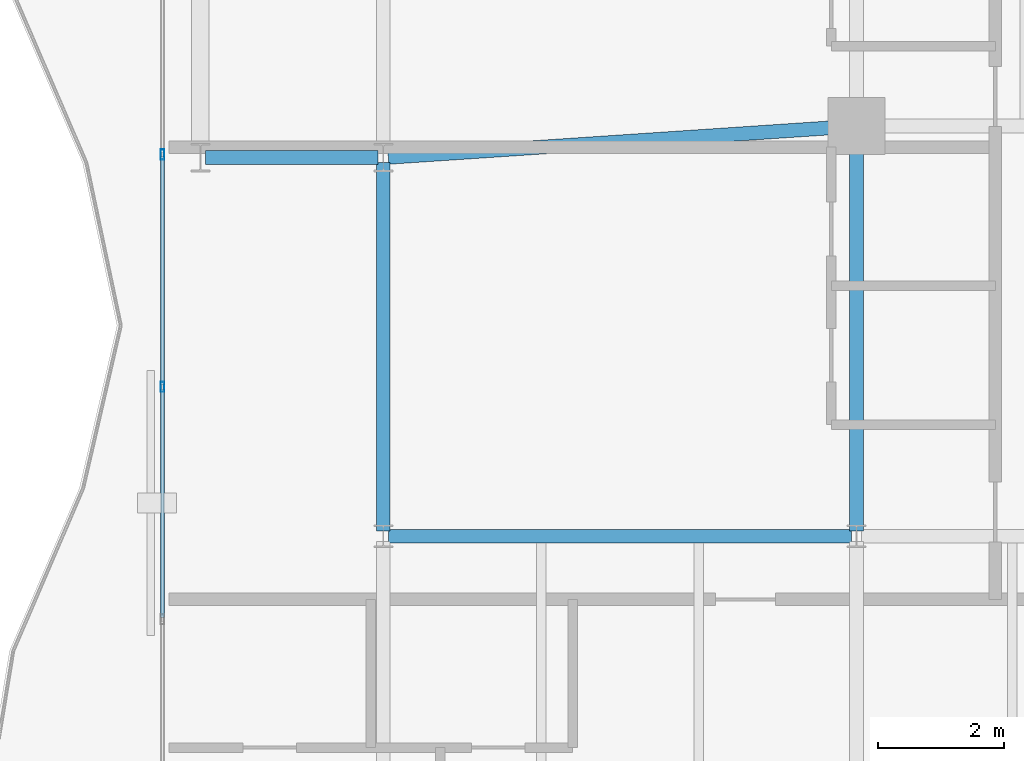
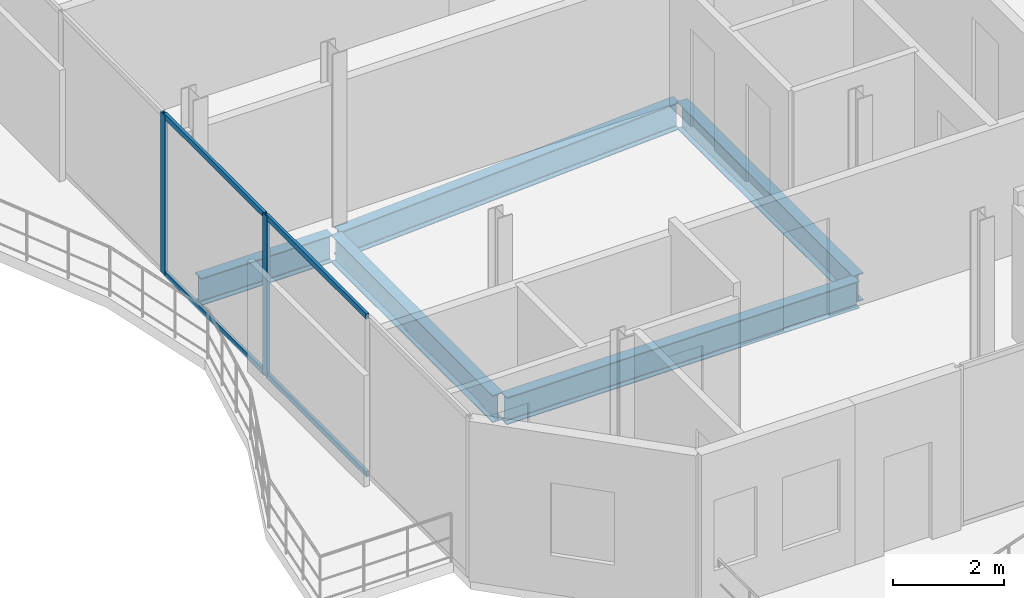
# One storey, part 6 of 22: 6 members, 5 beams, 1 element without a shape of its own.
"""IFC4 building model written with IfcOpenShell, lengths in metres."""

import ifcopenshell
import ifcopenshell.guid

model = None  # the IFC model being written
_history = None  # IfcOwnerHistory: only IFC2X3 demands one
_inside = {}  # id of a spatial element -> (the spatial element, [elements in it])
_under = {}  # id of a project, library or spatial element -> (it, [spatial elements below it])
_declared = {}  # id of a project -> (the project, [libraries it declares])
_typed = {}  # id of a type object -> (the type object, [elements of that type])
_made_of = {}  # id of a material, layer set ... -> (it, [elements and type objects made of it])


def new_model(schema):
    """Start an empty IFC model of exactly this schema.

    Asked for "IFC4X3", IfcOpenShell would pick the latest addendum, in which some entities
    have other attributes; the version numbers below select the first issue.
    IFC2X3 requires an IfcOwnerHistory on every rooted entity: one is made here for all.
    """
    global model, _history
    if schema == "IFC4X3":
        model = ifcopenshell.file(schema_version=(4, 3, 0, 0))
    else:
        model = ifcopenshell.file(schema=schema)
    _inside.clear()
    _under.clear()
    _declared.clear()
    _typed.clear()
    _made_of.clear()
    _history = None
    if model.schema == "IFC2X3":
        org = make("IfcOrganization", Name="unknown")
        user = make(
            "IfcPersonAndOrganization",
            ThePerson=make("IfcPerson", FamilyName="unknown"),
            TheOrganization=org,
        )
        app = make(
            "IfcApplication",
            ApplicationDeveloper=org,
            Version="unknown",
            ApplicationFullName="unknown",
            ApplicationIdentifier="unknown",
        )
        _history = make(
            "IfcOwnerHistory",
            OwningUser=user,
            OwningApplication=app,
            ChangeAction="ADDED",
            CreationDate=0,
        )
    return model


def make(cls, **values):
    """One entity of the class cls with the attributes given. An attribute that is None is left unset."""
    return model.create_entity(
        cls, **{name: value for name, value in values.items() if value is not None}
    )


def rooted(cls, **values):
    """An entity with a GlobalId (a new one), such as an element, a storey or a relation."""
    return make(cls, GlobalId=ifcopenshell.guid.new(), OwnerHistory=_history, **values)


def si_unit(unit_type, name, prefix=None):
    """IfcSIUnit, for example si_unit("LENGTHUNIT", "METRE", prefix="MILLI")."""
    return make("IfcSIUnit", UnitType=unit_type, Prefix=prefix, Name=name)


def assignment(units):
    """IfcUnitAssignment: the units of a project."""
    return None if units is None else make("IfcUnitAssignment", Units=units)


def point(xyz):
    """IfcCartesianPoint."""
    return None if xyz is None else make("IfcCartesianPoint", Coordinates=xyz)


def direction(xyz):
    """IfcDirection."""
    return None if xyz is None else make("IfcDirection", DirectionRatios=xyz)


def frame(location, z_axis=None, x_axis=None):
    """IfcAxis2Placement3D, a coordinate frame: its origin and axes. An axis left out is left unset."""
    return make(
        "IfcAxis2Placement3D",
        Location=point(location),
        Axis=direction(z_axis),
        RefDirection=direction(x_axis),
    )


def frame_2d(location, x_axis=None):
    """IfcAxis2Placement2D, a coordinate frame in the plane: its origin and x axis."""
    return make(
        "IfcAxis2Placement2D", Location=point(location), RefDirection=direction(x_axis)
    )


def origin():
    """The frame at (0, 0, 0) with its axes left unset."""
    return frame((0.0, 0.0, 0.0))


def origin_2d():
    """The frame at (0, 0) in the plane with its x axis left unset."""
    return frame_2d((0.0, 0.0))


def place(relative_to, where):
    """IfcLocalPlacement: puts the frame where relative to a parent placement (None: the world)."""
    return make(
        "IfcLocalPlacement", PlacementRelTo=relative_to, RelativePlacement=where
    )


def context(
    kind, dimensions, precision=None, world=None, true_north=None, identifier=None
):
    """IfcGeometricRepresentationContext, for example the 3D "Model" context."""
    return make(
        "IfcGeometricRepresentationContext",
        ContextIdentifier=identifier,
        ContextType=kind,
        CoordinateSpaceDimension=dimensions,
        Precision=precision,
        WorldCoordinateSystem=world,
        TrueNorth=true_north,
    )


def subcontext(parent, identifier, kind, view, scale=None):
    """IfcGeometricRepresentationSubContext, for example "Body" below "Model"."""
    return make(
        "IfcGeometricRepresentationSubContext",
        ContextIdentifier=identifier,
        ContextType=kind,
        ParentContext=parent,
        TargetScale=scale,
        TargetView=view,
    )


def project(units=None, contexts=None):
    """IfcProject with its units and contexts."""
    return rooted(
        "IfcProject",
        Name="project",
        RepresentationContexts=contexts,
        UnitsInContext=assignment(units),
    )


def spatial(cls, under=None, at=None, **own):
    """A site, building, storey or space (cls), placed at a placement, below another one or the project."""
    s = rooted(cls, ObjectPlacement=at, **own)
    if under is not None:
        _under.setdefault(under.id(), (under, []))[1].append(s)
    return s


def profile(cls, at=None, kind="AREA", **sizes):
    """A parametric profile (cls). Its sizes go by their IFC names, for example OverallWidth=200.0."""
    return make(cls, ProfileType=kind, Position=at, **sizes)


def hollow_rectangle(**sizes):
    """IfcRectangleHollowProfileDef."""
    return profile("IfcRectangleHollowProfileDef", **sizes)


def i_section(**sizes):
    """IfcIShapeProfileDef."""
    return profile("IfcIShapeProfileDef", **sizes)


def extrude(swept, where, along, depth):
    """IfcExtrudedAreaSolid: the profile swept, set in the frame where, extruded along a direction by depth."""
    return make(
        "IfcExtrudedAreaSolid",
        SweptArea=swept,
        Position=where,
        ExtrudedDirection=direction(along),
        Depth=depth,
    )


def shape(context_of_items, identifier, shape_type, items):
    """IfcShapeRepresentation: the items that make up one representation, for example the "Body"."""
    return make(
        "IfcShapeRepresentation",
        ContextOfItems=context_of_items,
        RepresentationIdentifier=identifier,
        RepresentationType=shape_type,
        Items=items,
    )


def material(Name=None, Category=None):
    """IfcMaterial."""
    return make("IfcMaterial", Name=Name, Category=Category)


def layer(
    of_material, thickness, ventilated=None, Name=None, Category=None, Priority=None
):
    """IfcMaterialLayer: one layer of a wall or slab, of a material (None: an air gap)."""
    return make(
        "IfcMaterialLayer",
        Material=of_material,
        LayerThickness=thickness,
        IsVentilated=ventilated,
        Name=Name,
        Category=Category,
        Priority=Priority,
    )


def layer_set(layers, Name=None):
    """IfcMaterialLayerSet."""
    return make("IfcMaterialLayerSet", MaterialLayers=layers, LayerSetName=Name)


def material_profile(
    of_material, cross_section, Name=None, Category=None, Priority=None
):
    """IfcMaterialProfile: a cross section and its material."""
    return make(
        "IfcMaterialProfile",
        Name=Name,
        Material=of_material,
        Profile=cross_section,
        Priority=Priority,
        Category=Category,
    )


def profile_set(profiles, Name=None, composite=None):
    """IfcMaterialProfileSet."""
    return make(
        "IfcMaterialProfileSet",
        Name=Name,
        MaterialProfiles=profiles,
        CompositeProfile=composite,
    )


def made_of(thing, what):
    """Note that an element or type object is made of a material, layer set ...; save() writes the relation."""
    if what is not None:
        _made_of.setdefault(what.id(), (what, []))[1].append(thing)
    return thing


def type_object(cls, material=None, **own):
    """A type object (cls), such as IfcWallType, which elements share."""
    return made_of(rooted(cls, **own), material)


def element(
    cls,
    number,
    at=None,
    inside=None,
    cuts=None,
    type_object=None,
    material=None,
    context=None,
    identifier="Body",
    shape_type=None,
    held_by="IfcProductDefinitionShape",
    body=None,
    shapes=None,
    **own,
):
    """One element of the class cls, such as IfcWall. Its Tag is "e" and its number.

    at: its placement. inside: the storey or other place that contains it. cuts: it is an
    opening in that element (IfcRelVoidsElement). A single representation is given by context,
    identifier, shape_type and body (its items); several are given by shapes. held_by: the class
    of the entity that holds the representations. save() writes the other relations.
    """
    e = rooted(cls, Tag="e%d" % number, ObjectPlacement=at, **own)
    if body is not None:
        shapes = [shape(context, identifier, shape_type, body)]
    if shapes is not None:
        e.Representation = make(held_by, Representations=shapes)
    if inside is not None:
        _inside.setdefault(inside.id(), (inside, []))[1].append(e)
    if cuts is not None:
        rooted(
            "IfcRelVoidsElement", RelatingBuildingElement=cuts, RelatedOpeningElement=e
        )
    if type_object is not None:
        _typed.setdefault(type_object.id(), (type_object, []))[1].append(e)
    return made_of(e, material)


def aggregate(whole, parts):
    """IfcRelAggregates: a whole, such as a stair, and the parts it consists of."""
    return rooted("IfcRelAggregates", RelatingObject=whole, RelatedObjects=parts)


def save(model, path):
    """Write the relations noted so far, then the file.

    IfcRelAggregates (storeys below a building ...), IfcRelContainedInSpatialStructure (elements
    in a storey), IfcRelDefinesByType, IfcRelAssociatesMaterial and IfcRelDeclares: one each for
    every whole, place, type object, material and project.
    """
    for whole, parts in _under.values():
        aggregate(whole, parts)
    for where, things in _inside.values():
        rooted(
            "IfcRelContainedInSpatialStructure",
            RelatedElements=things,
            RelatingStructure=where,
        )
    for kind, things in _typed.values():
        rooted("IfcRelDefinesByType", RelatedObjects=things, RelatingType=kind)
    for what, things in _made_of.values():
        rooted("IfcRelAssociatesMaterial", RelatedObjects=things, RelatingMaterial=what)
    for by, libraries in _declared.values():
        rooted("IfcRelDeclares", RelatingContext=by, RelatedDefinitions=libraries)
    model.write(path)


model = new_model("IFC4")

# Units and contexts
model_context = context("Model", 3, precision=1e-05, world=origin(), true_north=direction((0.0, 1.0)))
body_context = subcontext(model_context, "Body", "Model", "MODEL_VIEW")
ifc_project = project(units=[si_unit("LENGTHUNIT", "METRE"), si_unit("AREAUNIT", "SQUARE_METRE"), si_unit("VOLUMEUNIT", "CUBIC_METRE"), si_unit("PLANEANGLEUNIT", "RADIAN"), si_unit("MASSUNIT", "GRAM", prefix="KILO")], contexts=[model_context])

# Site, building, storey
site_placement = place(None, origin())
site = spatial("IfcSite", under=ifc_project, at=site_placement, CompositionType="ELEMENT")
building_placement = place(site_placement, origin())
building = spatial("IfcBuilding", under=site, at=building_placement, Name="Catumbela Crestline Tower", CompositionType="ELEMENT")
storey_placement = place(building_placement, frame((0.0, 0.0, 229.8)))
storey = spatial("IfcBuildingStorey", under=building, at=storey_placement, Name="L59", CompositionType="ELEMENT", Elevation=229.8)

# Beams
ifc_material_1 = material(Name="Structural steel S355J2", Category="steel")
ifc_material_profile_1 = material_profile(ifc_material_1, i_section(OverallWidth=0.22, OverallDepth=0.6, WebThickness=0.012, FlangeThickness=0.019, FilletRadius=0.024, at=origin_2d()), Name="IPE 600")
ifc_profile_set_1 = profile_set([ifc_material_profile_1], Name="Structural steel S355J2")
beam_type = type_object("IfcBeamType", Name="BG-IPE600", PredefinedType="BEAM", material=ifc_profile_set_1)
beam_1_placement = place(storey_placement, frame((5.68, 24.0, -0.56), z_axis=(1.0, 0.0, 0.0), x_axis=(0.0, 1.0, 0.0)))
element("IfcBeam", 1, at=beam_1_placement, inside=storey, type_object=beam_type, Name="L59 Beam BM-L59-S01", PredefinedType="BEAM", context=body_context, shape_type="SweptSolid", body=[
    extrude(i_section(OverallWidth=0.22, OverallDepth=0.6, WebThickness=0.012, FlangeThickness=0.019, FilletRadius=0.024, at=origin_2d()), origin(), (0.0, 0.0, 1.0), 2.74),
])
beam_2_placement = place(storey_placement, frame((8.5798, 24.0053, -0.56), z_axis=(0.997784796964, 0.066524423687, 0.0), x_axis=(-0.066524423687, 0.997784796964, 0.0)))
element("IfcBeam", 2, at=beam_2_placement, inside=storey, type_object=beam_type, Name="L59 Beam BM-L59-S02", PredefinedType="BEAM", context=body_context, shape_type="SweptSolid", body=[
    extrude(i_section(OverallWidth=0.22, OverallDepth=0.6, WebThickness=0.012, FlangeThickness=0.019, FilletRadius=0.024, at=origin_2d()), origin(), (0.0, 0.0, 1.0), 7.3567),
])
beam_3_placement = place(storey_placement, frame((8.58, 18.0, -0.56), z_axis=(1.0, 0.0, 0.0), x_axis=(0.0, 1.0, 0.0)))
element("IfcBeam", 3, at=beam_3_placement, inside=storey, type_object=beam_type, Name="L59 Beam BM-L59-WEW29", PredefinedType="BEAM", context=body_context, shape_type="SweptSolid", body=[
    extrude(i_section(OverallWidth=0.22, OverallDepth=0.6, WebThickness=0.012, FlangeThickness=0.019, FilletRadius=0.024, at=origin_2d()), origin(), (0.0, 0.0, 1.0), 7.34),
])
beam_4_placement = place(storey_placement, frame((8.5, 18.08, -0.56), z_axis=(0.0, 1.0, 0.0), x_axis=(-1.0, 0.0, 0.0)))
element("IfcBeam", 4, at=beam_4_placement, inside=storey, type_object=beam_type, Name="L59 Beam BM-L59-WNS32", PredefinedType="BEAM", context=body_context, shape_type="SweptSolid", body=[
    extrude(i_section(OverallWidth=0.22, OverallDepth=0.6, WebThickness=0.012, FlangeThickness=0.019, FilletRadius=0.024, at=origin_2d()), origin(), (0.0, 0.0, 1.0), 5.84),
])
beam_5_placement = place(storey_placement, frame((16.0, 18.08, -0.56), z_axis=(0.0, 1.0, 0.0), x_axis=(-1.0, 0.0, 0.0)))
element("IfcBeam", 5, at=beam_5_placement, inside=storey, type_object=beam_type, Name="L59 Beam BM-L59-WNS34", PredefinedType="BEAM", context=body_context, shape_type="SweptSolid", body=[
    extrude(i_section(OverallWidth=0.22, OverallDepth=0.6, WebThickness=0.012, FlangeThickness=0.019, FilletRadius=0.024, at=origin_2d()), origin(), (0.0, 0.0, 1.0), 6.34),
])

# Curtain wall, members
ifc_material_2 = material(Name="Aluminium alloy AW-6060-T66", Category="aluminium")
ifc_layer = layer(ifc_material_2, 0.18, Name="Aluminium alloy AW-6060-T66")
ifc_layer_set = layer_set([ifc_layer], Name="Aluminium alloy AW-6060-T66")
curtain_wall_type = type_object("IfcCurtainWallType", Name="CWU-Z4", PredefinedType="USERDEFINED", material=ifc_layer_set)
curtain_wall_placement = place(storey_placement, origin())
curtain_wall = element("IfcCurtainWall", 6, at=curtain_wall_placement, inside=storey, type_object=curtain_wall_type, Name="L59 Unitised Curtain Wall CW-L59-E9S2", ObjectType="UNITISED", PredefinedType="USERDEFINED")
ifc_material_profile_2 = material_profile(ifc_material_2, hollow_rectangle(XDim=0.06, YDim=0.16, WallThickness=0.004, at=origin_2d()), Name="ALU 160x60x4")
ifc_profile_set_2 = profile_set([ifc_material_profile_2], Name="Aluminium alloy AW-6060-T66")
member_type_1 = type_object("IfcMemberType", Name="MUL-160X60", PredefinedType="MULLION", material=ifc_profile_set_2)
member_1_placement = place(storey_placement, frame((5.0, 24.05, 0.0), z_axis=(0.0, 0.0, 1.0), x_axis=(1.0, 0.0, 0.0)))
member_1 = element("IfcMember", 7, at=member_1_placement, type_object=member_type_1, Name="CWU-Z4 mullion 4", PredefinedType="MULLION", context=body_context, shape_type="SweptSolid", body=[
    extrude(hollow_rectangle(XDim=0.06, YDim=0.16, WallThickness=0.004, at=origin_2d()), origin(), (0.0, 0.0, 1.0), 3.53),
])
member_2_placement = place(storey_placement, frame((5.0, 20.3667, 0.0), z_axis=(0.0, 0.0, 1.0), x_axis=(1.0, 0.0, 0.0)))
member_2 = element("IfcMember", 8, at=member_2_placement, type_object=member_type_1, Name="CWU-Z4 mullion 5", PredefinedType="MULLION", context=body_context, shape_type="SweptSolid", body=[
    extrude(hollow_rectangle(XDim=0.06, YDim=0.16, WallThickness=0.004, at=origin_2d()), origin(), (0.0, 0.0, 1.0), 3.53),
])
ifc_material_profile_3 = material_profile(ifc_material_2, hollow_rectangle(XDim=0.06, YDim=0.12, WallThickness=0.0035, at=origin_2d()), Name="ALU 120x60x3.5")
ifc_profile_set_3 = profile_set([ifc_material_profile_3], Name="Aluminium alloy AW-6060-T66")
member_type_2 = type_object("IfcMemberType", Name="TRN-120X60", PredefinedType="USERDEFINED", material=ifc_profile_set_3)
member_3_placement = place(storey_placement, frame((5.0, 24.0175, 0.03), z_axis=(0.0, -1.0, 0.0), x_axis=(1.0, 0.0, 0.0)))
member_3 = element("IfcMember", 9, at=member_3_placement, type_object=member_type_2, Name="CWU-Z4 transom 4.1", ObjectType="TRANSOM", PredefinedType="USERDEFINED", context=body_context, shape_type="SweptSolid", body=[
    extrude(hollow_rectangle(XDim=0.06, YDim=0.12, WallThickness=0.0035, at=origin_2d()), origin(), (0.0, 0.0, 1.0), 3.6183),
])
member_4_placement = place(storey_placement, frame((5.0, 24.0175, 3.5), z_axis=(0.0, -1.0, 0.0), x_axis=(1.0, 0.0, 0.0)))
member_4 = element("IfcMember", 10, at=member_4_placement, type_object=member_type_2, Name="CWU-Z4 transom 4.2", ObjectType="TRANSOM", PredefinedType="USERDEFINED", context=body_context, shape_type="SweptSolid", body=[
    extrude(hollow_rectangle(XDim=0.06, YDim=0.12, WallThickness=0.0035, at=origin_2d()), origin(), (0.0, 0.0, 1.0), 3.6183),
])
member_5_placement = place(storey_placement, frame((5.0, 20.3342, 0.03), z_axis=(0.0, -1.0, 0.0), x_axis=(1.0, 0.0, 0.0)))
member_5 = element("IfcMember", 11, at=member_5_placement, type_object=member_type_2, Name="CWU-Z4 transom 5.1", ObjectType="TRANSOM", PredefinedType="USERDEFINED", context=body_context, shape_type="SweptSolid", body=[
    extrude(hollow_rectangle(XDim=0.06, YDim=0.12, WallThickness=0.0035, at=origin_2d()), origin(), (0.0, 0.0, 1.0), 3.6184),
])
member_6_placement = place(storey_placement, frame((5.0, 20.3342, 3.5), z_axis=(0.0, -1.0, 0.0), x_axis=(1.0, 0.0, 0.0)))
member_6 = element("IfcMember", 12, at=member_6_placement, type_object=member_type_2, Name="CWU-Z4 transom 5.2", ObjectType="TRANSOM", PredefinedType="USERDEFINED", context=body_context, shape_type="SweptSolid", body=[
    extrude(hollow_rectangle(XDim=0.06, YDim=0.12, WallThickness=0.0035, at=origin_2d()), origin(), (0.0, 0.0, 1.0), 3.6184),
])
aggregate(curtain_wall, [member_1, member_2, member_3, member_4, member_5, member_6])

save(model, "model.ifc")
